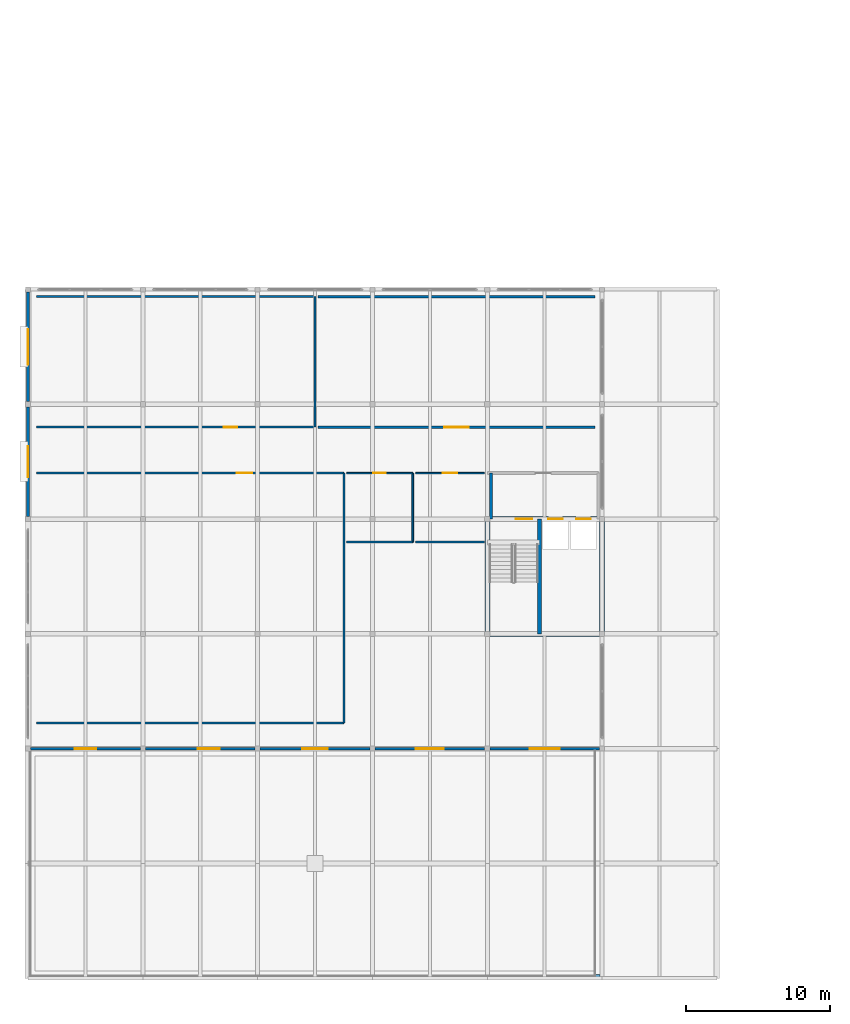
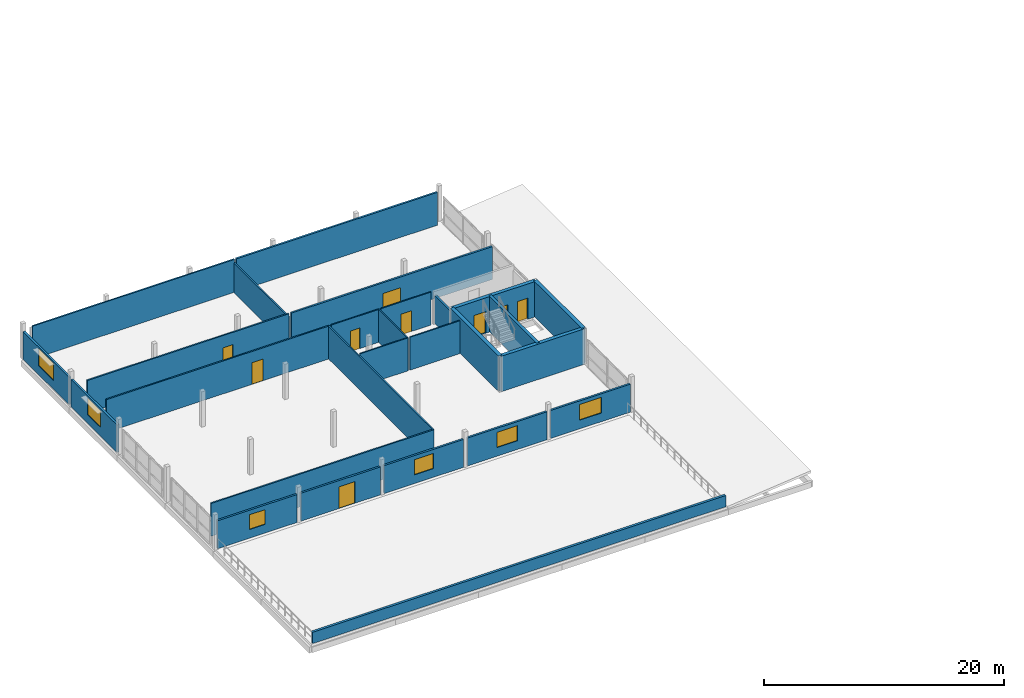
# One storey, part 14 of 25: 27 walls, 9 doors, 6 windows, 15 openings.
"""IFC4 building model written with IfcOpenShell, lengths in metres."""

from ifc_helpers import new_model, si_unit, direction, frame, frame_2d, origin, place, context, subcontext, project, spatial, rectangle, extrude, material, layer, layer_set, type_object, element, fill, save


model = new_model("IFC4")

# Units and contexts
model_context = context("Model", 3, precision=1e-05, world=origin(), true_north=direction((0.0, 1.0)))
body_context = subcontext(model_context, "Body", "Model", "MODEL_VIEW")
ifc_project = project(units=[si_unit("LENGTHUNIT", "METRE"), si_unit("AREAUNIT", "SQUARE_METRE"), si_unit("VOLUMEUNIT", "CUBIC_METRE"), si_unit("PLANEANGLEUNIT", "RADIAN"), si_unit("MASSUNIT", "GRAM", prefix="KILO")], contexts=[model_context])

# Site, building, storey
site_placement = place(None, origin())
site = spatial("IfcSite", under=ifc_project, at=site_placement, CompositionType="ELEMENT")
building_placement = place(site_placement, origin())
building = spatial("IfcBuilding", under=site, at=building_placement, Name="Vharandega Faculty of Natural Sciences", CompositionType="ELEMENT")
storey_placement = place(building_placement, frame((0.0, 0.0, 25.199951171875)))
storey = spatial("IfcBuildingStorey", under=building, at=storey_placement, Name="L06", CompositionType="ELEMENT", Elevation=25.199951171875)

# Wall, opening, door
ifc_material_1 = material(Name="Acoustic masonry blockwork 15 MPa", Category="masonry")
ifc_layer_1 = layer(ifc_material_1, 0.179931640625, Name="Acoustic masonry blockwork 15 MPa")
ifc_layer_set_1 = layer_set([ifc_layer_1], Name="Acoustic masonry blockwork 15 MPa")
wall_type_1 = type_object("IfcWallType", Name="Acoustic Lecture Wall 180", PredefinedType="PARTITIONING", material=ifc_layer_set_1)
wall_1_placement = place(storey_placement, frame((20.199951171875, 54.39990234375, 0.0), z_axis=(0.0, 0.0, 1.0), x_axis=(1.0, 0.0, 0.0)))
wall_1 = element("IfcWall", 1, at=wall_1_placement, inside=storey, type_object=wall_type_1, Name="Interior Wall PW-L06-R05S", PredefinedType="PARTITIONING", context=body_context, shape_type="SweptSolid", body=[
    extrude(rectangle(XDim=19.300048828125, YDim=0.179931640625, at=frame_2d((9.64990234375, 0.0))), origin(), (0.0, 0.0, 1.0), 3.340087890625),
])
opening_1_placement = place(wall_1_placement, frame((8.800048828125, 0.0, 0.0)))
opening_1 = element("IfcOpeningElement", 2, at=opening_1_placement, cuts=wall_1, Name="Opening D0326", PredefinedType="OPENING", context=body_context, shape_type="SweptSolid", body=[
    extrude(rectangle(XDim=1.699951171875, YDim=2.25, at=frame_2d((0.85009765625, 1.125))), frame((0.0, 0.10009765625, 0.0), z_axis=(0.0, -1.0, 0.0), x_axis=(1.0, 0.0, 0.0)), (0.0, 0.0, 1.0), 0.199951171875),
])
ifc_material_2 = material(Name="Solid-core hardwood timber fire door", Category="wood")
door_type_1 = type_object("IfcDoorType", Name="ID01-LECTURE-DBL-1700x2250", OperationType="DOUBLE_DOOR_SINGLE_SWING", PredefinedType="DOOR", material=ifc_material_2)
door_1_placement = place(opening_1_placement, origin())
door_1 = element("IfcDoor", 3, at=door_1_placement, inside=storey, type_object=door_type_1, Name="Senior Lecturer Office Suite 6B Door D0326", OperationType="DOUBLE_DOOR_SINGLE_SWING", OverallHeight=2.25, OverallWidth=1.699951171875, PredefinedType="DOOR", context=body_context, shape_type="SweptSolid", body=[
    extrude(rectangle(XDim=1.699951171875, YDim=2.25, at=frame_2d((0.85009765625, 1.125))), frame((0.0, 0.02490234375, 0.0), z_axis=(0.0, -1.0, 0.0), x_axis=(1.0, 0.0, 0.0)), (0.0, 0.0, 1.0), 0.050048828125),
])
fill(opening_1, door_1)

# Walls
wall_2_placement = place(storey_placement, frame((20.199951171875, 63.5, 0.0), z_axis=(0.0, 0.0, 1.0), x_axis=(1.0, 0.0, 0.0)))
element("IfcWall", 4, at=wall_2_placement, inside=storey, type_object=wall_type_1, Name="Interior Wall PW-L06-R05N", PredefinedType="PARTITIONING", context=body_context, shape_type="SweptSolid", body=[
    extrude(rectangle(XDim=19.300048828125, YDim=0.179931640625, at=frame_2d((9.64990234375, 0.0))), origin(), (0.0, 0.0, 1.0), 3.340087890625),
])
ifc_material_3 = material(Name="Concrete C40/50", Category="concrete")
ifc_layer_2 = layer(ifc_material_3, 0.35009765625, Name="Concrete C40/50")
ifc_layer_set_2 = layer_set([ifc_layer_2], Name="Concrete C40/50")
wall_type_2 = type_object("IfcWallType", Name="Core Shear Wall 350", PredefinedType="SHEAR", material=ifc_layer_set_2)
for number, where, z_axis, x_axis, name in (
    (5, (32.0, 40.0, 0.0), (0.0, 0.0, 1.0), (1.0, 0.0, 0.0), "Interior Wall CW-C3-L06-S"),
    (6, (32.0, 40.0, 0.0), (0.0, 0.0, 1.0), (0.0, 1.0, 0.0), "Interior Wall CW-C3-L06-W"),
    (7, (40.0, 40.0, 0.0), (0.0, 0.0, 1.0), (0.0, 1.0, 0.0), "Interior Wall CW-C3-L06-E"),
):
    element("IfcWall", number, at=place(storey_placement, frame(where, z_axis=z_axis, x_axis=x_axis)), inside=storey, type_object=wall_type_2, Name=name, PredefinedType="SHEAR", context=body_context, shape_type="SweptSolid", body=[
        extrude(rectangle(XDim=8.0, YDim=0.35009765625, at=frame_2d((4.0, 0.0))), origin(), (0.0, 0.0, 1.0), 3.60009765625),
    ])

# Wall, openings, doors
wall_3_placement = place(storey_placement, frame((32.0, 48.0, 0.0), z_axis=(0.0, 0.0, 1.0), x_axis=(1.0, 0.0, 0.0)))
wall_3 = element("IfcWall", 8, at=wall_3_placement, inside=storey, type_object=wall_type_2, Name="Interior Wall CW-C3-L06-N", PredefinedType="SHEAR", context=body_context, shape_type="SweptSolid", body=[
    extrude(rectangle(XDim=8.0, YDim=0.35009765625, at=frame_2d((4.0, 0.0))), origin(), (0.0, 0.0, 1.0), 3.60009765625),
])
opening_2_placement = place(wall_3_placement, frame((1.97998046875, 0.0, 0.0)))
opening_2 = element("IfcOpeningElement", 9, at=opening_2_placement, cuts=wall_3, Name="Opening FD1", PredefinedType="OPENING", context=body_context, shape_type="SweptSolid", body=[
    extrude(rectangle(XDim=1.14990234375, YDim=2.199951171875, at=frame_2d((0.574951171875, 1.10009765625))), frame((0.0, 0.18505859375, 0.0), z_axis=(0.0, -1.0, 0.0), x_axis=(1.0, 0.0, 0.0)), (0.0, 0.0, 1.0), 0.3701171875),
])
opening_3_placement = place(wall_3_placement, frame((4.25, 0.0, 0.0)))
opening_3 = element("IfcOpeningElement", 10, at=opening_3_placement, cuts=wall_3, Name="Opening LD-LP3-L06", PredefinedType="OPENING", context=body_context, shape_type="SweptSolid", body=[
    extrude(rectangle(XDim=1.0, YDim=2.14990234375, at=frame_2d((0.5, 1.074951171875))), frame((0.0, 0.18505859375, 0.0), z_axis=(0.0, -1.0, 0.0), x_axis=(1.0, 0.0, 0.0)), (0.0, 0.0, 1.0), 0.3701171875),
])
opening_4_placement = place(wall_3_placement, frame((6.199951171875, 0.0, 0.0)))
opening_4 = element("IfcOpeningElement", 11, at=opening_4_placement, cuts=wall_3, Name="Opening LD-LP4-L06", PredefinedType="OPENING", context=body_context, shape_type="SweptSolid", body=[
    extrude(rectangle(XDim=1.0, YDim=2.14990234375, at=frame_2d((0.5, 1.074951171875))), frame((0.0, 0.18505859375, 0.0), z_axis=(0.0, -1.0, 0.0), x_axis=(1.0, 0.0, 0.0)), (0.0, 0.0, 1.0), 0.3701171875),
])
ifc_material_4 = material(Name="Solid-core hardwood timber fire door", Category="wood")
door_type_2 = type_object("IfcDoorType", Name="FD1-STAIR-1150x2200", OperationType="NOTDEFINED", PredefinedType="DOOR", material=ifc_material_4)
door_2_placement = place(opening_2_placement, origin())
door_2 = element("IfcDoor", 12, at=door_2_placement, inside=storey, type_object=door_type_2, Name="Stair ST3 Fire Door FD1", OperationType="SINGLE_SWING_LEFT", OverallHeight=2.199951171875, OverallWidth=1.14990234375, PredefinedType="DOOR", context=body_context, shape_type="SweptSolid", body=[
    extrude(rectangle(XDim=1.14990234375, YDim=2.199951171875, at=frame_2d((0.574951171875, 1.10009765625))), frame((0.0, 0.02490234375, 0.0), z_axis=(0.0, -1.0, 0.0), x_axis=(1.0, 0.0, 0.0)), (0.0, 0.0, 1.0), 0.050048828125),
])
fill(opening_2, door_2)
ifc_material_5 = material(Name="Brushed stainless steel sliding landing door", Category="steel")
door_type_3 = type_object("IfcDoorType", Name="LD2-PAXLIFT-SLIDING-1000x2150", OperationType="DOUBLE_DOOR_SLIDING", PredefinedType="DOOR", material=ifc_material_5)
door_3_placement = place(opening_3_placement, origin())
door_3 = element("IfcDoor", 13, at=door_3_placement, inside=storey, type_object=door_type_3, Name="Lift Landing Door LD-LP3-L06", OperationType="DOUBLE_DOOR_SLIDING", OverallHeight=2.14990234375, OverallWidth=1.0, PredefinedType="DOOR", context=body_context, shape_type="SweptSolid", body=[
    extrude(rectangle(XDim=1.0, YDim=2.14990234375, at=frame_2d((0.5, 1.074951171875))), frame((0.0, 0.02490234375, 0.0), z_axis=(0.0, -1.0, 0.0), x_axis=(1.0, 0.0, 0.0)), (0.0, 0.0, 1.0), 0.050048828125),
])
fill(opening_3, door_3)
door_4_placement = place(opening_4_placement, origin())
door_4 = element("IfcDoor", 14, at=door_4_placement, inside=storey, type_object=door_type_3, Name="Lift Landing Door LD-LP4-L06", OperationType="DOUBLE_DOOR_SLIDING", OverallHeight=2.14990234375, OverallWidth=1.0, PredefinedType="DOOR", context=body_context, shape_type="SweptSolid", body=[
    extrude(rectangle(XDim=1.0, YDim=2.14990234375, at=frame_2d((0.5, 1.074951171875))), frame((0.0, 0.02490234375, 0.0), z_axis=(0.0, -1.0, 0.0), x_axis=(1.0, 0.0, 0.0)), (0.0, 0.0, 1.0), 0.050048828125),
])
fill(opening_4, door_4)

# Walls
ifc_material_6 = material(Name="Concrete C40/50", Category="concrete")
ifc_layer_3 = layer(ifc_material_6, 0.199951171875, Name="Concrete C40/50")
ifc_layer_set_3 = layer_set([ifc_layer_3], Name="Concrete C40/50")
wall_type_3 = type_object("IfcWallType", Name="Firefighting Lobby Wall 200", PredefinedType="PARTITIONING", material=ifc_layer_set_3)
wall_4_placement = place(storey_placement, frame((32.25, 48.0, 0.0), z_axis=(0.0, 0.0, 1.0), x_axis=(0.0, 1.0, 0.0)))
element("IfcWall", 15, at=wall_4_placement, inside=storey, type_object=wall_type_3, Name="Interior Wall PW-LL-C3-L06-W", PredefinedType="PARTITIONING", context=body_context, shape_type="SweptSolid", body=[
    extrude(rectangle(XDim=3.199951171875, YDim=0.199951171875, at=frame_2d((1.60009765625, 0.0))), origin(), (0.0, 0.0, 1.0), 2.840087890625),
])
ifc_material_7 = material(Name="Concrete C40/50", Category="concrete")
ifc_layer_4 = layer(ifc_material_7, 0.260009765625, Name="Concrete C40/50")
ifc_layer_set_4 = layer_set([ifc_layer_4], Name="Concrete C40/50")
wall_type_4 = type_object("IfcWallType", Name="Lift Shaft Shear Wall 260", PredefinedType="SHEAR", material=ifc_layer_set_4)
wall_5_placement = place(storey_placement, frame((35.639892578125, 40.0, 0.0), z_axis=(0.0, 0.0, 1.0), x_axis=(0.0, 1.0, 0.0)))
element("IfcWall", 16, at=wall_5_placement, inside=storey, type_object=wall_type_4, Name="Interior Wall CW-C3-L06-DIV", PredefinedType="SHEAR", context=body_context, shape_type="SweptSolid", body=[
    extrude(rectangle(XDim=8.0, YDim=0.260009765625, at=frame_2d((4.0, 0.0))), origin(), (0.0, 0.0, 1.0), 3.60009765625),
])
ifc_material_8 = material(Name="Precast concrete C40/50", Category="concrete")
ifc_layer_5 = layer(ifc_material_8, 0.219970703125, Name="Precast concrete C40/50")
ifc_layer_set_5 = layer_set([ifc_layer_5], Name="Precast concrete C40/50")
wall_type_5 = type_object("IfcWallType", Name="Roof Masonry Parapet 220", PredefinedType="PARAPET", material=ifc_layer_set_5)
wall_6_placement = place(storey_placement, frame((39.85009765625, 16.14990234375, 0.0), z_axis=(0.0, 0.0, 1.0), x_axis=(-1.0, 0.0, 0.0)))
element("IfcWall", 17, at=wall_6_placement, inside=storey, type_object=wall_type_5, Name="Exterior Wall WP-L06-05", PredefinedType="PARAPET", context=body_context, shape_type="SweptSolid", body=[
    extrude(rectangle(XDim=39.7001953125, YDim=0.219970703125, at=frame_2d((19.85009765625, 0.0))), origin(), (0.0, 0.0, 1.0), 1.150146484375),
])
ifc_material_9 = material(Name="Gypsum acoustic partition", Category="gypsum")
ifc_layer_6 = layer(ifc_material_9, 0.139892578125, Name="Gypsum acoustic partition")
ifc_layer_set_6 = layer_set([ifc_layer_6], Name="Gypsum acoustic partition")
wall_type_6 = type_object("IfcWallType", Name="Room Partition Wall 140", PredefinedType="PARTITIONING", material=ifc_layer_set_6)
wall_7_placement = place(storey_placement, frame((0.60009765625, 33.800048828125, 0.0), z_axis=(0.0, 0.0, 1.0), x_axis=(1.0, 0.0, 0.0)))
element("IfcWall", 18, at=wall_7_placement, inside=storey, type_object=wall_type_6, Name="Interior Wall PW-L06-R01S", PredefinedType="PARTITIONING", context=body_context, shape_type="SweptSolid", body=[
    extrude(rectangle(XDim=21.39990234375, YDim=0.139892578125, at=frame_2d((10.699951171875, 0.0))), origin(), (0.0, 0.0, 1.0), 3.340087890625),
])

# Wall, opening, door
wall_8_placement = place(storey_placement, frame((0.60009765625, 51.199951171875, 0.0), z_axis=(0.0, 0.0, 1.0), x_axis=(1.0, 0.0, 0.0)))
wall_8 = element("IfcWall", 19, at=wall_8_placement, inside=storey, type_object=wall_type_6, Name="Interior Wall PW-L06-R01N", PredefinedType="PARTITIONING", context=body_context, shape_type="SweptSolid", body=[
    extrude(rectangle(XDim=21.39990234375, YDim=0.139892578125, at=frame_2d((10.699951171875, 0.0))), origin(), (0.0, 0.0, 1.0), 3.340087890625),
])
opening_5_placement = place(wall_8_placement, frame((13.9599609375, 0.0, 0.0)))
opening_5 = element("IfcOpeningElement", 20, at=opening_5_placement, cuts=wall_8, Name="Opening D0322", PredefinedType="OPENING", context=body_context, shape_type="SweptSolid", body=[
    extrude(rectangle(XDim=1.080078125, YDim=2.199951171875, at=frame_2d((0.5400390625, 1.10009765625))), frame((0.0, 0.080078125, 0.0), z_axis=(0.0, -1.0, 0.0), x_axis=(1.0, 0.0, 0.0)), (0.0, 0.0, 1.0), 0.159912109375),
])
ifc_material_10 = material(Name="Solid-core hardwood timber fire door", Category="wood")
door_type_4 = type_object("IfcDoorType", Name="ID03-SEMINAR-1080x2200", OperationType="NOTDEFINED", PredefinedType="DOOR", material=ifc_material_10)
door_5_placement = place(opening_5_placement, origin())
door_5 = element("IfcDoor", 21, at=door_5_placement, inside=storey, type_object=door_type_4, Name="Seminar Room 601 Door D0322", OperationType="SINGLE_SWING_RIGHT", OverallHeight=2.199951171875, OverallWidth=1.080078125, PredefinedType="DOOR", context=body_context, shape_type="SweptSolid", body=[
    extrude(rectangle(XDim=1.080078125, YDim=2.199951171875, at=frame_2d((0.5400390625, 1.10009765625))), frame((0.0, 0.02490234375, 0.0), z_axis=(0.0, -1.0, 0.0), x_axis=(1.0, 0.0, 0.0)), (0.0, 0.0, 1.0), 0.050048828125),
])
fill(opening_5, door_5)

# Wall
wall_9_placement = place(storey_placement, frame((22.0, 33.800048828125, 0.0), z_axis=(0.0, 0.0, 1.0), x_axis=(0.0, 1.0, 0.0)))
element("IfcWall", 22, at=wall_9_placement, inside=storey, type_object=wall_type_6, Name="Interior Wall PW-L06-R01E", PredefinedType="PARTITIONING", context=body_context, shape_type="SweptSolid", body=[
    extrude(rectangle(XDim=17.39990234375, YDim=0.139892578125, at=frame_2d((8.699951171875, 0.0))), origin(), (0.0, 0.0, 1.0), 3.340087890625),
])

# Wall, opening, door
wall_10_placement = place(storey_placement, frame((0.60009765625, 54.39990234375, 0.0), z_axis=(0.0, 0.0, 1.0), x_axis=(1.0, 0.0, 0.0)))
wall_10 = element("IfcWall", 23, at=wall_10_placement, inside=storey, type_object=wall_type_6, Name="Interior Wall PW-L06-R04S", PredefinedType="PARTITIONING", context=body_context, shape_type="SweptSolid", body=[
    extrude(rectangle(XDim=19.39990234375, YDim=0.139892578125, at=frame_2d((9.699951171875, 0.0))), origin(), (0.0, 0.0, 1.0), 3.340087890625),
])
opening_6_placement = place(wall_10_placement, frame((13.02490234375, 0.0, 0.0)))
opening_6 = element("IfcOpeningElement", 24, at=opening_6_placement, cuts=wall_10, Name="Opening D0325", PredefinedType="OPENING", context=body_context, shape_type="SweptSolid", body=[
    extrude(rectangle(XDim=0.949951171875, YDim=2.10009765625, at=frame_2d((0.47509765625, 1.050048828125))), frame((0.0, 0.080078125, 0.0), z_axis=(0.0, -1.0, 0.0), x_axis=(1.0, 0.0, 0.0)), (0.0, 0.0, 1.0), 0.159912109375),
])
ifc_material_11 = material(Name="Solid-core hardwood timber fire door", Category="wood")
door_type_5 = type_object("IfcDoorType", Name="ID04-OFFICE-0950x2100", OperationType="NOTDEFINED", PredefinedType="DOOR", material=ifc_material_11)
door_6_placement = place(opening_6_placement, origin())
door_6 = element("IfcDoor", 25, at=door_6_placement, inside=storey, type_object=door_type_5, Name="Academic Staff Office Suite 6A Door D0325", OperationType="SINGLE_SWING_LEFT", OverallHeight=2.10009765625, OverallWidth=0.949951171875, PredefinedType="DOOR", context=body_context, shape_type="SweptSolid", body=[
    extrude(rectangle(XDim=0.949951171875, YDim=2.10009765625, at=frame_2d((0.47509765625, 1.050048828125))), frame((0.0, 0.02490234375, 0.0), z_axis=(0.0, -1.0, 0.0), x_axis=(1.0, 0.0, 0.0)), (0.0, 0.0, 1.0), 0.050048828125),
])
fill(opening_6, door_6)

# Walls
wall_11_placement = place(storey_placement, frame((0.60009765625, 63.5, 0.0), z_axis=(0.0, 0.0, 1.0), x_axis=(1.0, 0.0, 0.0)))
element("IfcWall", 26, at=wall_11_placement, inside=storey, type_object=wall_type_6, Name="Interior Wall PW-L06-R04N", PredefinedType="PARTITIONING", context=body_context, shape_type="SweptSolid", body=[
    extrude(rectangle(XDim=19.39990234375, YDim=0.139892578125, at=frame_2d((9.699951171875, 0.0))), origin(), (0.0, 0.0, 1.0), 3.340087890625),
])
wall_12_placement = place(storey_placement, frame((20.0, 54.39990234375, 0.0), z_axis=(0.0, 0.0, 1.0), x_axis=(0.0, 1.0, 0.0)))
element("IfcWall", 27, at=wall_12_placement, inside=storey, type_object=wall_type_6, Name="Interior Wall PW-L06-R04E", PredefinedType="PARTITIONING", context=body_context, shape_type="SweptSolid", body=[
    extrude(rectangle(XDim=9.10009765625, YDim=0.139892578125, at=frame_2d((4.550048828125, 0.0))), origin(), (0.0, 0.0, 1.0), 3.0),
])
ifc_material_12 = material(Name="Moisture-resistant gypsum partition", Category="gypsum")
ifc_layer_7 = layer(ifc_material_12, 0.1201171875, Name="Moisture-resistant gypsum partition")
ifc_layer_set_7 = layer_set([ifc_layer_7], Name="Moisture-resistant gypsum partition")
wall_type_7 = type_object("IfcWallType", Name="Sanitary Wet Wall 120", PredefinedType="PARTITIONING", material=ifc_layer_set_7)
wall_13_placement = place(storey_placement, frame((22.199951171875, 46.39990234375, 0.0), z_axis=(0.0, 0.0, 1.0), x_axis=(1.0, 0.0, 0.0)))
element("IfcWall", 28, at=wall_13_placement, inside=storey, type_object=wall_type_7, Name="Interior Wall PW-L06-R02S", PredefinedType="PARTITIONING", context=body_context, shape_type="SweptSolid", body=[
    extrude(rectangle(XDim=4.60009765625, YDim=0.1201171875, at=frame_2d((2.300048828125, 0.0))), origin(), (0.0, 0.0, 1.0), 3.340087890625),
])

# Wall, opening, door
wall_14_placement = place(storey_placement, frame((22.199951171875, 51.199951171875, 0.0), z_axis=(0.0, 0.0, 1.0), x_axis=(1.0, 0.0, 0.0)))
wall_14 = element("IfcWall", 29, at=wall_14_placement, inside=storey, type_object=wall_type_7, Name="Interior Wall PW-L06-R02N", PredefinedType="PARTITIONING", context=body_context, shape_type="SweptSolid", body=[
    extrude(rectangle(XDim=4.60009765625, YDim=0.1201171875, at=frame_2d((2.300048828125, 0.0))), origin(), (0.0, 0.0, 1.0), 3.340087890625),
])
opening_7_placement = place(wall_14_placement, frame((1.860107421875, 0.0, 0.0)))
opening_7 = element("IfcOpeningElement", 30, at=opening_7_placement, cuts=wall_14, Name="Opening D0323", PredefinedType="OPENING", context=body_context, shape_type="SweptSolid", body=[
    extrude(rectangle(XDim=0.8798828125, YDim=2.10009765625, at=frame_2d((0.43994140625, 1.050048828125))), frame((0.0, 0.070068359375, 0.0), z_axis=(0.0, -1.0, 0.0), x_axis=(1.0, 0.0, 0.0)), (0.0, 0.0, 1.0), 0.14013671875),
])
ifc_material_13 = material(Name="Solid-core hardwood timber fire door", Category="wood")
door_type_6 = type_object("IfcDoorType", Name="ID06-WC-0880x2100", OperationType="NOTDEFINED", PredefinedType="DOOR", material=ifc_material_13)
door_7_placement = place(opening_7_placement, origin())
door_7 = element("IfcDoor", 31, at=door_7_placement, inside=storey, type_object=door_type_6, Name="L06 West Wing Washroom Door D0323", OperationType="SINGLE_SWING_LEFT", OverallHeight=2.10009765625, OverallWidth=0.8798828125, PredefinedType="DOOR", context=body_context, shape_type="SweptSolid", body=[
    extrude(rectangle(XDim=0.8798828125, YDim=2.10009765625, at=frame_2d((0.43994140625, 1.050048828125))), frame((0.0, 0.02490234375, 0.0), z_axis=(0.0, -1.0, 0.0), x_axis=(1.0, 0.0, 0.0)), (0.0, 0.0, 1.0), 0.050048828125),
])
fill(opening_7, door_7)

# Walls
for number, where, z_axis, x_axis, name in (
    (32, (26.800048828125, 46.39990234375, 0.0), (0.0, 0.0, 1.0), (0.0, 1.0, 0.0), "Interior Wall PW-L06-R02E"),
    (33, (27.0, 46.39990234375, 0.0), (0.0, 0.0, 1.0), (1.0, 0.0, 0.0), "Interior Wall PW-L06-R03S"),
):
    element("IfcWall", number, at=place(storey_placement, frame(where, z_axis=z_axis, x_axis=x_axis)), inside=storey, type_object=wall_type_7, Name=name, PredefinedType="PARTITIONING", context=body_context, shape_type="SweptSolid", body=[
        extrude(rectangle(XDim=4.800048828125, YDim=0.1201171875, at=frame_2d((2.39990234375, 0.0))), origin(), (0.0, 0.0, 1.0), 3.340087890625),
    ])

# Wall, opening, door
wall_15_placement = place(storey_placement, frame((27.0, 51.199951171875, 0.0), z_axis=(0.0, 0.0, 1.0), x_axis=(1.0, 0.0, 0.0)))
wall_15 = element("IfcWall", 34, at=wall_15_placement, inside=storey, type_object=wall_type_7, Name="Interior Wall PW-L06-R03N", PredefinedType="PARTITIONING", context=body_context, shape_type="SweptSolid", body=[
    extrude(rectangle(XDim=4.800048828125, YDim=0.1201171875, at=frame_2d((2.39990234375, 0.0))), origin(), (0.0, 0.0, 1.0), 3.340087890625),
])
opening_8_placement = place(wall_15_placement, frame((1.889892578125, 0.0, 0.0)))
opening_8 = element("IfcOpeningElement", 35, at=opening_8_placement, cuts=wall_15, Name="Opening D0324", PredefinedType="OPENING", context=body_context, shape_type="SweptSolid", body=[
    extrude(rectangle(XDim=1.02001953125, YDim=2.10009765625, at=frame_2d((0.510009765625, 1.050048828125))), frame((0.0, 0.070068359375, 0.0), z_axis=(0.0, -1.0, 0.0), x_axis=(1.0, 0.0, 0.0)), (0.0, 0.0, 1.0), 0.14013671875),
])
ifc_material_14 = material(Name="Solid-core hardwood timber fire door", Category="wood")
door_type_7 = type_object("IfcDoorType", Name="ID07-ACCWC-1020x2100", OperationType="NOTDEFINED", PredefinedType="DOOR", material=ifc_material_14)
door_8_placement = place(opening_8_placement, origin())
door_8 = element("IfcDoor", 36, at=door_8_placement, inside=storey, type_object=door_type_7, Name="L06 West Accessible WC Door D0324", OperationType="SINGLE_SWING_RIGHT", OverallHeight=2.10009765625, OverallWidth=1.02001953125, PredefinedType="DOOR", context=body_context, shape_type="SweptSolid", body=[
    extrude(rectangle(XDim=1.02001953125, YDim=2.10009765625, at=frame_2d((0.510009765625, 1.050048828125))), frame((0.0, 0.02490234375, 0.0), z_axis=(0.0, -1.0, 0.0), x_axis=(1.0, 0.0, 0.0)), (0.0, 0.0, 1.0), 0.050048828125),
])
fill(opening_8, door_8)

# Wall, opening, window
ifc_material_15 = material(Name="Precast concrete C40/50", Category="concrete")
ifc_layer_8 = layer(ifc_material_15, 0.18994140625, Name="Precast concrete C40/50")
ifc_layer_set_8 = layer_set([ifc_layer_8], Name="Precast concrete C40/50")
wall_type_8 = type_object("IfcWallType", Name="Terracotta Spandrel Wall 190", PredefinedType="SOLIDWALL", material=ifc_layer_set_8)
wall_16_placement = place(storey_placement, frame((0.0, 48.177978515625, 0.0), z_axis=(0.0, 0.0, 1.0), x_axis=(0.0, 1.0, 0.0)))
wall_16 = element("IfcWall", 37, at=wall_16_placement, inside=storey, type_object=wall_type_8, Name="Exterior Wall EW-V5W-L06-G", PredefinedType="SOLIDWALL", context=body_context, shape_type="SweptSolid", body=[
    extrude(rectangle(XDim=7.64404296875, YDim=0.18994140625, at=frame_2d((3.822021484375, 0.0))), origin(), (0.0, 0.0, 1.0), 2.800048828125),
])
opening_9_placement = place(wall_16_placement, frame((2.73193359375, 0.0, 0.8798828125)))
opening_9 = element("IfcOpeningElement", 38, at=opening_9_placement, cuts=wall_16, Name="Opening WN-43", PredefinedType="OPENING", context=body_context, shape_type="SweptSolid", body=[
    extrude(rectangle(XDim=2.179931640625, YDim=1.719970703125, at=frame_2d((1.08984375, 0.85986328125))), frame((0.0, 0.10498046875, 0.0), z_axis=(0.0, -1.0, 0.0), x_axis=(1.0, 0.0, 0.0)), (0.0, 0.0, 1.0), 0.2099609375),
])
ifc_material_16 = material(Name="Double-glazed solar-control glass in thermally broken aluminium frame", Category="aluminium")
window_type_1 = type_object("IfcWindowType", Name="WIN-SEM-218x172", PartitioningType="DOUBLE_PANEL_VERTICAL", PredefinedType="WINDOW", material=ifc_material_16)
window_1_placement = place(opening_9_placement, origin())
window_1 = element("IfcWindow", 39, at=window_1_placement, inside=storey, type_object=window_type_1, Name="Window WIN-L06-0278", OverallHeight=1.719970703125, OverallWidth=2.179931640625, PartitioningType="SINGLE_PANEL", PredefinedType="WINDOW", context=body_context, shape_type="SweptSolid", body=[
    extrude(rectangle(XDim=2.179931640625, YDim=1.719970703125, at=frame_2d((1.08984375, 0.85986328125))), frame((0.0, 0.030029296875, 0.0), z_axis=(0.0, -1.0, 0.0), x_axis=(1.0, 0.0, 0.0)), (0.0, 0.0, 1.0), 0.06005859375),
])
fill(opening_9, window_1)

wall_17_placement = place(storey_placement, frame((0.0, 56.177978515625, 0.0), z_axis=(0.0, 0.0, 1.0), x_axis=(0.0, 1.0, 0.0)))
wall_17 = element("IfcWall", 40, at=wall_17_placement, inside=storey, type_object=wall_type_8, Name="Exterior Wall EW-V5W-L06-H", PredefinedType="SOLIDWALL", context=body_context, shape_type="SweptSolid", body=[
    extrude(rectangle(XDim=7.64404296875, YDim=0.18994140625, at=frame_2d((3.822021484375, 0.0))), origin(), (0.0, 0.0, 1.0), 2.800048828125),
])
opening_10_placement = place(wall_17_placement, frame((2.58203125, 0.0, 0.8798828125)))
opening_10 = element("IfcOpeningElement", 41, at=opening_10_placement, cuts=wall_17, Name="Opening WN-44", PredefinedType="OPENING", context=body_context, shape_type="SweptSolid", body=[
    extrude(rectangle(XDim=2.47998046875, YDim=1.780029296875, at=frame_2d((1.239990234375, 0.89013671875))), frame((0.0, 0.10498046875, 0.0), z_axis=(0.0, -1.0, 0.0), x_axis=(1.0, 0.0, 0.0)), (0.0, 0.0, 1.0), 0.2099609375),
])
ifc_material_17 = material(Name="Double-glazed solar-control glass in thermally broken aluminium frame", Category="aluminium")
window_type_2 = type_object("IfcWindowType", Name="WIN-SEM-248x178", PartitioningType="DOUBLE_PANEL_VERTICAL", PredefinedType="WINDOW", material=ifc_material_17)
window_2_placement = place(opening_10_placement, origin())
window_2 = element("IfcWindow", 42, at=window_2_placement, inside=storey, type_object=window_type_2, Name="Window WIN-L06-0279", OverallHeight=1.780029296875, OverallWidth=2.47998046875, PartitioningType="SINGLE_PANEL", PredefinedType="WINDOW", context=body_context, shape_type="SweptSolid", body=[
    extrude(rectangle(XDim=2.47998046875, YDim=1.780029296875, at=frame_2d((1.239990234375, 0.89013671875))), frame((0.0, 0.030029296875, 0.0), z_axis=(0.0, -1.0, 0.0), x_axis=(1.0, 0.0, 0.0)), (0.0, 0.0, 1.0), 0.06005859375),
])
fill(opening_10, window_2)

wall_18_placement = place(storey_placement, frame((7.822021484375, 32.0, 0.0), z_axis=(0.0, 0.0, 1.0), x_axis=(-1.0, 0.0, 0.0)))
wall_18 = element("IfcWall", 43, at=wall_18_placement, inside=storey, type_object=wall_type_8, Name="Exterior Wall EW-V5S-L06-1", PredefinedType="SOLIDWALL", context=body_context, shape_type="SweptSolid", body=[
    extrude(rectangle(XDim=7.64404296875, YDim=0.18994140625, at=frame_2d((3.822021484375, 0.0))), origin(), (0.0, 0.0, 1.0), 2.840087890625),
])
opening_11_placement = place(wall_18_placement, frame((3.072021484375, 0.0, 0.8798828125)))
opening_11 = element("IfcOpeningElement", 44, at=opening_11_placement, cuts=wall_18, Name="Opening WN-18", PredefinedType="OPENING", context=body_context, shape_type="SweptSolid", body=[
    extrude(rectangle(XDim=1.5, YDim=1.5, at=frame_2d((0.75, 0.75))), frame((0.0, 0.10498046875, 0.0), z_axis=(0.0, -1.0, 0.0), x_axis=(1.0, 0.0, 0.0)), (0.0, 0.0, 1.0), 0.2099609375),
])
ifc_material_18 = material(Name="Double-glazed solar-control glass in thermally broken aluminium frame", Category="aluminium")
window_type_3 = type_object("IfcWindowType", Name="WIN-SEM-150x150", PartitioningType="SINGLE_PANEL", PredefinedType="WINDOW", material=ifc_material_18)
window_3_placement = place(opening_11_placement, origin())
window_3 = element("IfcWindow", 45, at=window_3_placement, inside=storey, type_object=window_type_3, Name="Window WIN-L06-0280", OverallHeight=1.5, OverallWidth=1.5, PartitioningType="SINGLE_PANEL", PredefinedType="WINDOW", context=body_context, shape_type="SweptSolid", body=[
    extrude(rectangle(XDim=1.5, YDim=1.5, at=frame_2d((0.75, 0.75))), frame((0.0, 0.030029296875, 0.0), z_axis=(0.0, -1.0, 0.0), x_axis=(1.0, 0.0, 0.0)), (0.0, 0.0, 1.0), 0.06005859375),
])
fill(opening_11, window_3)

# Wall, opening, door
wall_19_placement = place(storey_placement, frame((15.822021484375, 32.0, 0.0), z_axis=(0.0, 0.0, 1.0), x_axis=(-1.0, 0.0, 0.0)))
wall_19 = element("IfcWall", 46, at=wall_19_placement, inside=storey, type_object=wall_type_8, Name="Exterior Wall EW-V5S-L06-2", PredefinedType="SOLIDWALL", context=body_context, shape_type="SweptSolid", body=[
    extrude(rectangle(XDim=7.64404296875, YDim=0.18994140625, at=frame_2d((3.822021484375, 0.0))), origin(), (0.0, 0.0, 1.0), 2.840087890625),
])
opening_12_placement = place(wall_19_placement, frame((2.471923828125, 0.0, 0.0)))
opening_12 = element("IfcOpeningElement", 47, at=opening_12_placement, cuts=wall_19, Name="Opening TD-L06W", PredefinedType="OPENING", context=body_context, shape_type="SweptSolid", body=[
    extrude(rectangle(XDim=1.52001953125, YDim=2.199951171875, at=frame_2d((0.760009765625, 1.10009765625))), frame((0.0, 0.10498046875, 0.0), z_axis=(0.0, -1.0, 0.0), x_axis=(1.0, 0.0, 0.0)), (0.0, 0.0, 1.0), 0.2099609375),
])
ifc_material_19 = material(Name="Thermally broken glazed aluminium door", Category="aluminium")
door_type_8 = type_object("IfcDoorType", Name="EXT-TERR-DBL-1520x2200", OperationType="DOUBLE_DOOR_SINGLE_SWING", PredefinedType="DOOR", material=ifc_material_19)
door_9_placement = place(opening_12_placement, origin())
door_9 = element("IfcDoor", 48, at=door_9_placement, inside=storey, type_object=door_type_8, Name="Stepped Terrace Access Door TD-L06W", OperationType="DOUBLE_DOOR_SINGLE_SWING", OverallHeight=2.199951171875, OverallWidth=1.52001953125, PredefinedType="DOOR", context=body_context, shape_type="SweptSolid", body=[
    extrude(rectangle(XDim=1.52001953125, YDim=2.199951171875, at=frame_2d((0.760009765625, 1.10009765625))), frame((0.0, 0.02490234375, 0.0), z_axis=(0.0, -1.0, 0.0), x_axis=(1.0, 0.0, 0.0)), (0.0, 0.0, 1.0), 0.050048828125),
])
fill(opening_12, door_9)

# Wall, opening, window
wall_20_placement = place(storey_placement, frame((23.822021484375, 32.0, 0.0), z_axis=(0.0, 0.0, 1.0), x_axis=(-1.0, 0.0, 0.0)))
wall_20 = element("IfcWall", 49, at=wall_20_placement, inside=storey, type_object=wall_type_8, Name="Exterior Wall EW-V5S-L06-3", PredefinedType="SOLIDWALL", context=body_context, shape_type="SweptSolid", body=[
    extrude(rectangle(XDim=7.64404296875, YDim=0.18994140625, at=frame_2d((3.822021484375, 0.0))), origin(), (0.0, 0.0, 1.0), 2.840087890625),
])
opening_13_placement = place(wall_20_placement, frame((2.922119140625, 0.0, 0.8798828125)))
opening_13 = element("IfcOpeningElement", 50, at=opening_13_placement, cuts=wall_20, Name="Opening WN-20", PredefinedType="OPENING", context=body_context, shape_type="SweptSolid", body=[
    extrude(rectangle(XDim=1.800048828125, YDim=1.550048828125, at=frame_2d((0.89990234375, 0.77490234375))), frame((0.0, 0.10498046875, 0.0), z_axis=(0.0, -1.0, 0.0), x_axis=(1.0, 0.0, 0.0)), (0.0, 0.0, 1.0), 0.2099609375),
])
ifc_material_20 = material(Name="Double-glazed solar-control glass in thermally broken aluminium frame", Category="aluminium")
window_type_4 = type_object("IfcWindowType", Name="WIN-SEM-180x155", PartitioningType="DOUBLE_PANEL_VERTICAL", PredefinedType="WINDOW", material=ifc_material_20)
window_4_placement = place(opening_13_placement, origin())
window_4 = element("IfcWindow", 51, at=window_4_placement, inside=storey, type_object=window_type_4, Name="Window WIN-L06-0281", OverallHeight=1.550048828125, OverallWidth=1.800048828125, PartitioningType="SINGLE_PANEL", PredefinedType="WINDOW", context=body_context, shape_type="SweptSolid", body=[
    extrude(rectangle(XDim=1.800048828125, YDim=1.550048828125, at=frame_2d((0.89990234375, 0.77490234375))), frame((0.0, 0.030029296875, 0.0), z_axis=(0.0, -1.0, 0.0), x_axis=(1.0, 0.0, 0.0)), (0.0, 0.0, 1.0), 0.06005859375),
])
fill(opening_13, window_4)

wall_21_placement = place(storey_placement, frame((31.822021484375, 32.0, 0.0), z_axis=(0.0, 0.0, 1.0), x_axis=(-1.0, 0.0, 0.0)))
wall_21 = element("IfcWall", 52, at=wall_21_placement, inside=storey, type_object=wall_type_8, Name="Exterior Wall EW-V5S-L06-4", PredefinedType="SOLIDWALL", context=body_context, shape_type="SweptSolid", body=[
    extrude(rectangle(XDim=7.64404296875, YDim=0.18994140625, at=frame_2d((3.822021484375, 0.0))), origin(), (0.0, 0.0, 1.0), 2.840087890625),
])
opening_14_placement = place(wall_21_placement, frame((2.846923828125, 0.0, 0.8798828125)))
opening_14 = element("IfcOpeningElement", 53, at=opening_14_placement, cuts=wall_21, Name="Opening WN-21", PredefinedType="OPENING", context=body_context, shape_type="SweptSolid", body=[
    extrude(rectangle(XDim=1.949951171875, YDim=1.550048828125, at=frame_2d((0.97509765625, 0.77490234375))), frame((0.0, 0.10498046875, 0.0), z_axis=(0.0, -1.0, 0.0), x_axis=(1.0, 0.0, 0.0)), (0.0, 0.0, 1.0), 0.2099609375),
])
ifc_material_21 = material(Name="Double-glazed solar-control glass in thermally broken aluminium frame", Category="aluminium")
window_type_5 = type_object("IfcWindowType", Name="WIN-SEM-195x155", PartitioningType="DOUBLE_PANEL_VERTICAL", PredefinedType="WINDOW", material=ifc_material_21)
window_5_placement = place(opening_14_placement, origin())
window_5 = element("IfcWindow", 54, at=window_5_placement, inside=storey, type_object=window_type_5, Name="Window WIN-L06-0282", OverallHeight=1.550048828125, OverallWidth=1.949951171875, PartitioningType="SINGLE_PANEL", PredefinedType="WINDOW", context=body_context, shape_type="SweptSolid", body=[
    extrude(rectangle(XDim=1.949951171875, YDim=1.550048828125, at=frame_2d((0.97509765625, 0.77490234375))), frame((0.0, 0.030029296875, 0.0), z_axis=(0.0, -1.0, 0.0), x_axis=(1.0, 0.0, 0.0)), (0.0, 0.0, 1.0), 0.06005859375),
])
fill(opening_14, window_5)

wall_22_placement = place(storey_placement, frame((39.822021484375, 32.0, 0.0), z_axis=(0.0, 0.0, 1.0), x_axis=(-1.0, 0.0, 0.0)))
wall_22 = element("IfcWall", 55, at=wall_22_placement, inside=storey, type_object=wall_type_8, Name="Exterior Wall EW-V5S-L06-5", PredefinedType="SOLIDWALL", context=body_context, shape_type="SweptSolid", body=[
    extrude(rectangle(XDim=7.64404296875, YDim=0.18994140625, at=frame_2d((3.822021484375, 0.0))), origin(), (0.0, 0.0, 1.0), 2.840087890625),
])
opening_15_placement = place(wall_22_placement, frame((2.77197265625, 0.0, 0.8798828125)))
opening_15 = element("IfcOpeningElement", 56, at=opening_15_placement, cuts=wall_22, Name="Opening WN-22", PredefinedType="OPENING", context=body_context, shape_type="SweptSolid", body=[
    extrude(rectangle(XDim=2.10009765625, YDim=1.60009765625, at=frame_2d((1.050048828125, 0.800048828125))), frame((0.0, 0.10498046875, 0.0), z_axis=(0.0, -1.0, 0.0), x_axis=(1.0, 0.0, 0.0)), (0.0, 0.0, 1.0), 0.2099609375),
])
ifc_material_22 = material(Name="Double-glazed solar-control glass in thermally broken aluminium frame", Category="aluminium")
window_type_6 = type_object("IfcWindowType", Name="WIN-SEM-210x160", PartitioningType="DOUBLE_PANEL_VERTICAL", PredefinedType="WINDOW", material=ifc_material_22)
window_6_placement = place(opening_15_placement, origin())
window_6 = element("IfcWindow", 57, at=window_6_placement, inside=storey, type_object=window_type_6, Name="Window WIN-L06-0283", OverallHeight=1.60009765625, OverallWidth=2.10009765625, PartitioningType="SINGLE_PANEL", PredefinedType="WINDOW", context=body_context, shape_type="SweptSolid", body=[
    extrude(rectangle(XDim=2.10009765625, YDim=1.60009765625, at=frame_2d((1.050048828125, 0.800048828125))), frame((0.0, 0.030029296875, 0.0), z_axis=(0.0, -1.0, 0.0), x_axis=(1.0, 0.0, 0.0)), (0.0, 0.0, 1.0), 0.06005859375),
])
fill(opening_15, window_6)

save(model, "model.ifc")
